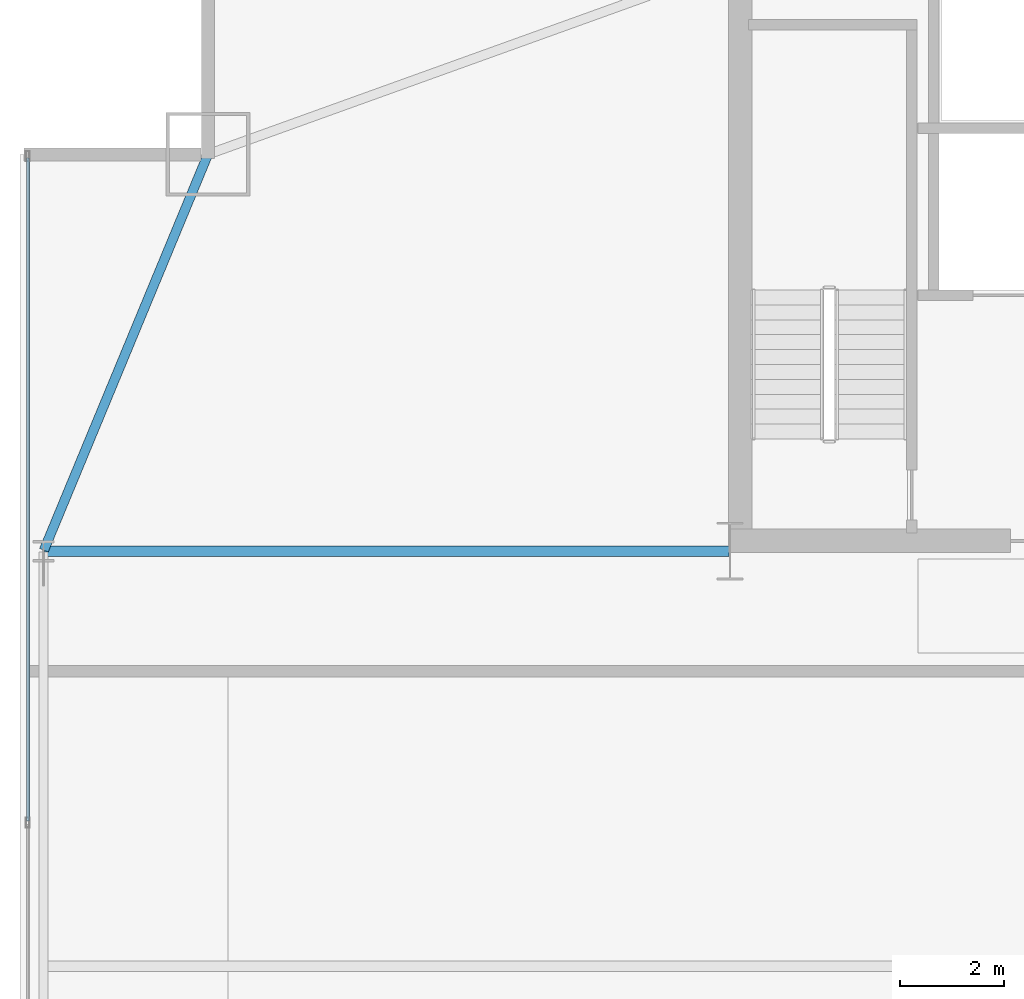
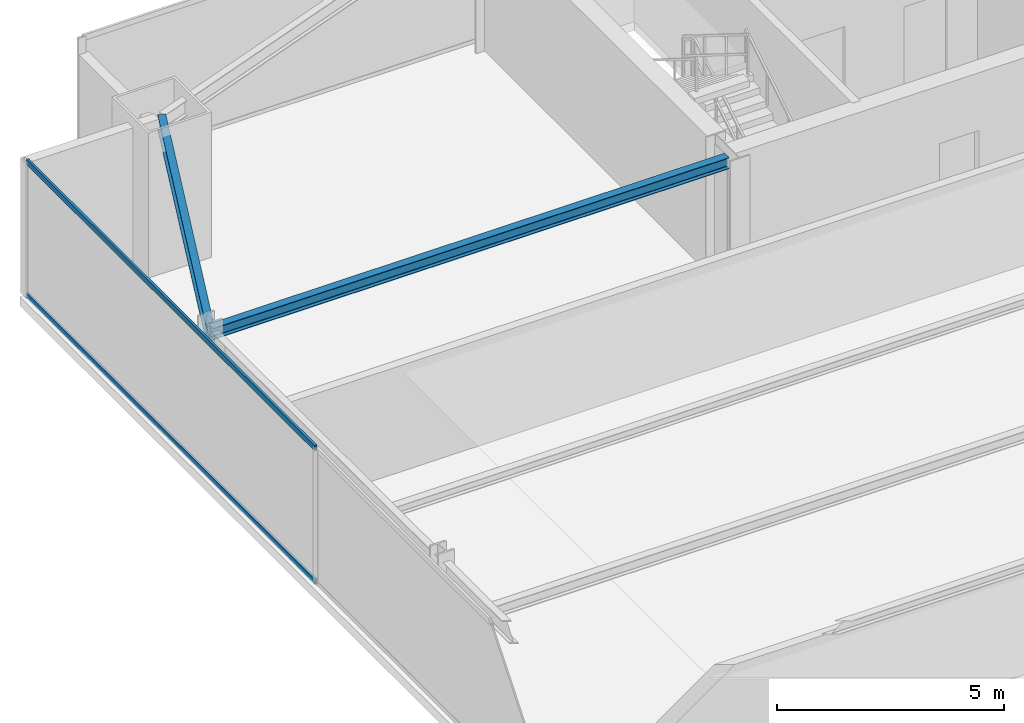
# One storey, part 19 of 31: 2 beams, 2 members, 1 element without a shape of its own.
"""IFC4 building model written with IfcOpenShell, lengths in metres."""

from ifc_helpers import new_model, si_unit, direction, frame, origin, origin_2d, place, context, subcontext, project, spatial, hollow_rectangle, i_section, extrude, source, transform, mapped, material, layer, layer_set, material_profile, profile_set, type_object, type_shapes, element, aggregate, save


model = new_model("IFC4")

# Units and contexts
model_context = context("Model", 3, precision=1e-05, world=origin(), true_north=direction((0.0, 1.0)))
body_context = subcontext(model_context, "Body", "Model", "MODEL_VIEW")
ifc_project = project(units=[si_unit("LENGTHUNIT", "METRE"), si_unit("AREAUNIT", "SQUARE_METRE"), si_unit("VOLUMEUNIT", "CUBIC_METRE"), si_unit("PLANEANGLEUNIT", "RADIAN"), si_unit("MASSUNIT", "GRAM", prefix="KILO")], contexts=[model_context])

# Site, building, storey
site_placement = place(None, origin())
site = spatial("IfcSite", under=ifc_project, at=site_placement, CompositionType="ELEMENT")
building_placement = place(site_placement, origin())
building = spatial("IfcBuilding", under=site, at=building_placement, Name="Varnel Quay Broadcast Tower", CompositionType="ELEMENT")
storey_placement = place(building_placement, frame((0.0, 0.0, 39.300048828125)))
storey = spatial("IfcBuildingStorey", under=building, at=storey_placement, Name="L08", CompositionType="ELEMENT", Elevation=39.300048828125)

# Beams
ifc_material_1 = material(Name="Structural Steel CSA G40.21 350W", Category="steel")
ifc_material_profile_1 = material_profile(ifc_material_1, i_section(OverallWidth=0.180908203125, OverallDepth=0.4169921875, WebThickness=0.010986328125, FlangeThickness=0.018310546875, FilletRadius=0.011962890625, at=origin_2d()), Name="W410X85")
ifc_profile_set_1 = profile_set([ifc_material_profile_1], Name="Structural Steel CSA G40.21 350W")
beam_type_1 = type_object("IfcBeamType", Name="Beam_W410X85", PredefinedType="SPANDREL", material=ifc_profile_set_1)
shared_shape_1 = source(origin(), body_context, "Body", "SweptSolid", [
    extrude(i_section(OverallWidth=0.180908203125, OverallDepth=0.4169921875, WebThickness=0.010986328125, FlangeThickness=0.018310546875, FilletRadius=0.011962890625, at=origin_2d()), origin(), (0.0, 0.0, 1.0), 8.186767578125),
])
type_shapes(beam_type_1, [shared_shape_1])
beam_1_placement = place(storey_placement, frame((2.457763671875, 35.618408203125, 3.44140625), z_axis=(0.382874132092, 0.923800519038, 0.0), x_axis=(-0.923800519038, 0.382874132092, 0.0)))
element("IfcBeam", 1, at=beam_1_placement, inside=storey, type_object=beam_type_1, Name="L08 West Spandrel TC-W3-MC-NW", PredefinedType="SPANDREL", context=body_context, shape_type="MappedRepresentation", body=[
    mapped(shared_shape_1, transform((0.0, 0.0, 0.0), x_axis=(1.0, 0.0, 0.0), y_axis=(0.0, 1.0, 0.0), z_axis=(0.0, 0.0, 1.0), scale=1.0)),
])
ifc_material_profile_2 = material_profile(ifc_material_1, i_section(OverallWidth=0.202880859375, OverallDepth=0.302978515625, WebThickness=0.007568359375, FlangeThickness=0.01318359375, FilletRadius=0.011962890625, at=origin_2d()), Name="W310X60")
ifc_profile_set_2 = profile_set([ifc_material_profile_2], Name="Structural Steel CSA G40.21 350W")
beam_type_2 = type_object("IfcBeamType", Name="Beam_W310X60", PredefinedType="JOIST", material=ifc_profile_set_2)
shared_shape_2 = source(origin(), body_context, "Body", "SweptSolid", [
    extrude(i_section(OverallWidth=0.202880859375, OverallDepth=0.302978515625, WebThickness=0.007568359375, FlangeThickness=0.01318359375, FilletRadius=0.011962890625, at=origin_2d()), origin(), (0.0, 0.0, 1.0), 13.110107421875),
])
type_shapes(beam_type_2, [shared_shape_2])
beam_2_placement = place(storey_placement, frame((2.469970703125, 35.60009765625, 3.49853515625), z_axis=(1.0, 0.0, 0.0), x_axis=(0.0, 1.0, 0.0)))
element("IfcBeam", 2, at=beam_2_placement, inside=storey, type_object=beam_type_2, Name="L08 West Core Tie Joist", PredefinedType="JOIST", context=body_context, shape_type="MappedRepresentation", body=[
    mapped(shared_shape_2, transform((0.0, 0.0, 0.0), x_axis=(1.0, 0.0, 0.0), y_axis=(0.0, 1.0, 0.0), z_axis=(0.0, 0.0, 1.0), scale=1.0)),
])

# Curtain wall, members
ifc_material_2 = material(Name="Anodised Bronze Aluminium 6063-T6", Category="aluminium")
ifc_layer = layer(ifc_material_2, 0.18994140625, Name="Anodised Bronze Aluminium 6063-T6")
ifc_layer_set = layer_set([ifc_layer], Name="Anodised Bronze Aluminium 6063-T6")
curtain_wall_type = type_object("IfcCurtainWallType", Name="CW_LowerTower", PredefinedType="NOTDEFINED", material=ifc_layer_set)
curtain_wall_placement = place(storey_placement, origin())
curtain_wall = element("IfcCurtainWall", 3, at=curtain_wall_placement, inside=storey, type_object=curtain_wall_type, Name="L08 West Unitised Curtain Wall", PredefinedType="NOTDEFINED")
ifc_material_profile_3 = material_profile(ifc_material_2, hollow_rectangle(XDim=0.06005859375, YDim=0.14501953125, WallThickness=0.00341796875, at=origin_2d()), Name="ALU60X145X3.5")
ifc_profile_set_3 = profile_set([ifc_material_profile_3], Name="Anodised Bronze Aluminium 6063-T6")
member_type = type_object("IfcMemberType", Name="Tran_CWS-02", PredefinedType="USERDEFINED", material=ifc_profile_set_3)
shared_shape_3 = source(origin(), body_context, "Body", "SweptSolid", [
    extrude(hollow_rectangle(XDim=0.06005859375, YDim=0.14501953125, WallThickness=0.00341796875, at=origin_2d()), origin(), (0.0, 0.0, 1.0), 12.69482421875),
])
type_shapes(member_type, [shared_shape_3])
member_1_placement = place(storey_placement, frame((2.14990234375, 30.43505859375, 0.030029296875), z_axis=(0.0, 1.0, 0.0), x_axis=(-1.0, 0.0, 0.0)))
member_1 = element("IfcMember", 4, at=member_1_placement, type_object=member_type, Name="CWS-02 transom 3.1", ObjectType="TRANSOM", PredefinedType="USERDEFINED", context=body_context, shape_type="MappedRepresentation", body=[
    mapped(shared_shape_3, transform((0.0, 0.0, 0.0), x_axis=(1.0, 0.0, 0.0), y_axis=(0.0, 1.0, 0.0), z_axis=(0.0, 0.0, 1.0), scale=1.0)),
])
member_2_placement = place(storey_placement, frame((2.14990234375, 30.43505859375, 3.619873046875), z_axis=(0.0, 1.0, 0.0), x_axis=(-1.0, 0.0, 0.0)))
member_2 = element("IfcMember", 5, at=member_2_placement, type_object=member_type, Name="CWS-02 transom 3.2", ObjectType="TRANSOM", PredefinedType="USERDEFINED", context=body_context, shape_type="MappedRepresentation", body=[
    mapped(shared_shape_3, transform((0.0, 0.0, 0.0), x_axis=(1.0, 0.0, 0.0), y_axis=(0.0, 1.0, 0.0), z_axis=(0.0, 0.0, 1.0), scale=1.0)),
])
aggregate(curtain_wall, [member_1, member_2])

save(model, "model.ifc")
